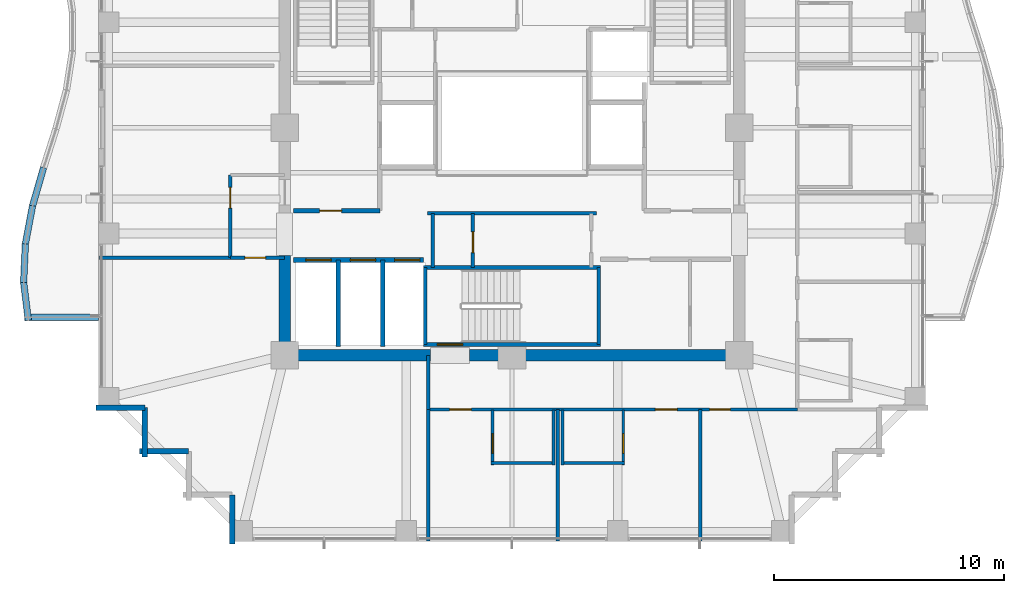
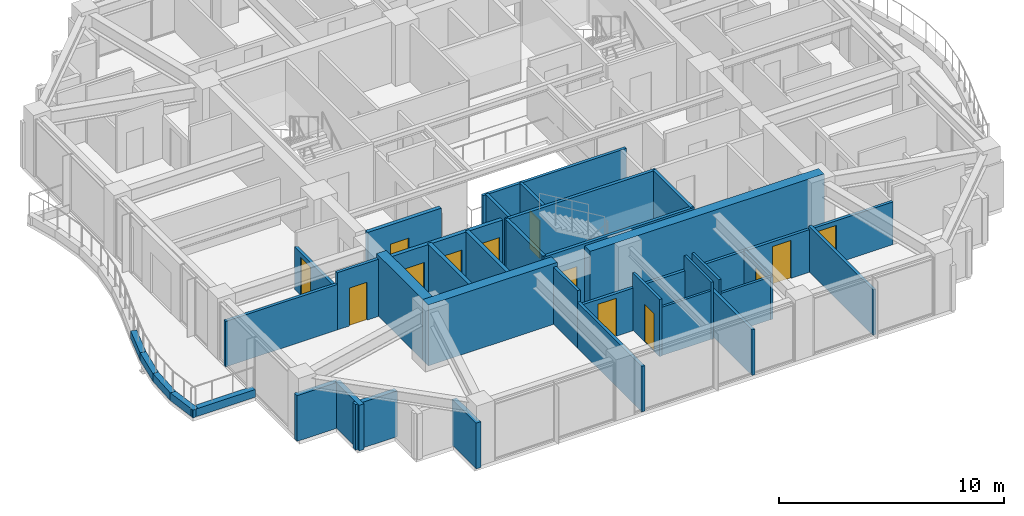
# One storey, part 28 of 33: 37 walls, 13 doors, 13 openings.
"""IFC4 building model written with IfcOpenShell, lengths in metres."""

from ifc_helpers import new_model, si_unit, direction, frame, frame_2d, origin, place, context, subcontext, project, spatial, rectangle, extrude, material, layer, layer_set, type_object, element, fill, save


model = new_model("IFC4")

# Units and contexts
model_context = context("Model", 3, precision=1e-05, world=origin(), true_north=direction((0.0, 1.0)))
body_context = subcontext(model_context, "Body", "Model", "MODEL_VIEW")
ifc_project = project(units=[si_unit("LENGTHUNIT", "METRE"), si_unit("AREAUNIT", "SQUARE_METRE"), si_unit("VOLUMEUNIT", "CUBIC_METRE"), si_unit("PLANEANGLEUNIT", "RADIAN"), si_unit("MASSUNIT", "GRAM", prefix="KILO")], contexts=[model_context])

# Site, building, storey
site_placement = place(None, origin())
site = spatial("IfcSite", under=ifc_project, at=site_placement, CompositionType="ELEMENT")
building_placement = place(site_placement, origin())
building = spatial("IfcBuilding", under=site, at=building_placement, Name="Kolvaren Belvedere", CompositionType="ELEMENT")
storey_placement = place(building_placement, frame((0.0, 0.0, 128.300048828125)))
storey = spatial("IfcBuildingStorey", under=building, at=storey_placement, Name="L37", CompositionType="ELEMENT", Elevation=128.300048828125)

# Walls
ifc_material_1 = material(Name="Concrete C50/60", Category="concrete")
ifc_layer_1 = layer(ifc_material_1, 0.5)
ifc_layer_set_1 = layer_set([ifc_layer_1], Name="Concrete C50/60")
wall_type_1 = type_object("IfcWallType", Name="CW-CORE-500", PredefinedType="SHEAR", material=ifc_layer_set_1)
wall_1_placement = place(storey_placement, frame((10.14990234375, -9.89990234375, 0.0), z_axis=(0.0, 0.0, 1.0), x_axis=(-1.0, 0.0, 0.0)))
element("IfcWall", 1, at=wall_1_placement, inside=storey, type_object=wall_type_1, Name="L37 South Core Shear Wall 1", PredefinedType="SHEAR", context=body_context, shape_type="SweptSolid", body=[
    extrude(rectangle(XDim=12.010009765625, YDim=0.5, at=frame_2d((6.0048828125, 0.0))), origin(), (0.0, 0.0, 1.0), 3.300048828125),
])
wall_2_placement = place(storey_placement, frame((-3.5400390625, -9.89990234375, 0.0), z_axis=(0.0, 0.0, 1.0), x_axis=(-1.0, 0.0, 0.0)))
element("IfcWall", 2, at=wall_2_placement, inside=storey, type_object=wall_type_1, Name="L37 South Core Shear Wall 2", PredefinedType="SHEAR", context=body_context, shape_type="SweptSolid", body=[
    extrude(rectangle(XDim=6.60986328125, YDim=0.5, at=frame_2d((3.304931640625, 0.0))), origin(), (0.0, 0.0, 1.0), 3.300048828125),
])
wall_3_placement = place(storey_placement, frame((-9.89990234375, -9.64990234375, 0.0), z_axis=(0.0, 0.0, 1.0), x_axis=(0.0, 1.0, 0.0)))
element("IfcWall", 3, at=wall_3_placement, inside=storey, type_object=wall_type_1, Name="L37 West Core Shear Wall 1", PredefinedType="SHEAR", context=body_context, shape_type="SweptSolid", body=[
    extrude(rectangle(XDim=4.099853515625, YDim=0.5, at=frame_2d((2.0498046875, 0.0))), origin(), (0.0, 0.0, 1.0), 3.300048828125),
])

# Wall, opening, door
ifc_material_2 = material(Name="Concrete C50/60", Category="concrete")
ifc_layer_2 = layer(ifc_material_2, 0.159912109375)
ifc_layer_set_2 = layer_set([ifc_layer_2], Name="Concrete C50/60")
wall_type_2 = type_object("IfcWallType", Name="CW-STAIR-160", PredefinedType="SHEAR", material=ifc_layer_set_2)
wall_4_placement = place(storey_placement, frame((3.860107421875, -9.429931640625, 0.0), z_axis=(0.0, 0.0, 1.0), x_axis=(-1.0, 0.0, 0.0)))
wall_4 = element("IfcWall", 4, at=wall_4_placement, inside=storey, type_object=wall_type_2, Name="L37 Stair ST-3 South Shear Wall", PredefinedType="SHEAR", context=body_context, shape_type="SweptSolid", body=[
    extrude(rectangle(XDim=7.72021484375, YDim=0.159912109375, at=frame_2d((3.860107421875, 0.0))), origin(), (0.0, 0.0, 1.0), 3.300048828125),
])
opening_1_placement = place(wall_4_placement, frame((6.010009765625, 0.0, 0.0)))
opening_1 = element("IfcOpeningElement", 5, at=opening_1_placement, cuts=wall_4, Name="Opening D-FD90", PredefinedType="OPENING", context=body_context, shape_type="SweptSolid", body=[
    extrude(rectangle(XDim=1.10009765625, YDim=2.199951171875, at=frame_2d((0.550048828125, 1.10009765625))), frame((0.0, 0.08984375, 0.0), z_axis=(0.0, -1.0, 0.0), x_axis=(1.0, 0.0, 0.0)), (0.0, 0.0, 1.0), 0.179931640625),
])
ifc_material_3 = material(Name="Painted hollow stainless steel", Category="steel")
door_type_1 = type_object("IfcDoorType", Name="DR-FD90-1100", OperationType="NOTDEFINED", PredefinedType="DOOR", material=ifc_material_3)
door_1_placement = place(opening_1_placement, origin())
door_1 = element("IfcDoor", 6, at=door_1_placement, inside=storey, type_object=door_type_1, Name="L37 Stair ST-3 Exit Door", OperationType="SINGLE_SWING_RIGHT", OverallHeight=2.199951171875, OverallWidth=1.10009765625, PredefinedType="DOOR", context=body_context, shape_type="SweptSolid", body=[
    extrude(rectangle(XDim=1.10009765625, YDim=2.199951171875, at=frame_2d((0.550048828125, 1.10009765625))), frame((0.0, 0.02490234375, 0.0), z_axis=(0.0, -1.0, 0.0), x_axis=(1.0, 0.0, 0.0)), (0.0, 0.0, 1.0), 0.050048828125),
])
fill(opening_1, door_1)

# Walls
wall_5_placement = place(storey_placement, frame((-3.860107421875, -6.080078125, 0.0), z_axis=(0.0, 0.0, 1.0), x_axis=(1.0, 0.0, 0.0)))
element("IfcWall", 7, at=wall_5_placement, inside=storey, type_object=wall_type_2, Name="L37 Stair ST-3 North Shear Wall", PredefinedType="SHEAR", context=body_context, shape_type="SweptSolid", body=[
    extrude(rectangle(XDim=7.72021484375, YDim=0.159912109375, at=frame_2d((3.860107421875, 0.0))), origin(), (0.0, 0.0, 1.0), 3.300048828125),
])
for number, where, z_axis, x_axis, name in (
    (8, (-3.780029296875, -9.429931640625, 0.0), (0.0, 0.0, 1.0), (0.0, 1.0, 0.0), "L37 Stair ST-3 West Shear Wall"),
    (9, (3.780029296875, -9.429931640625, 0.0), (0.0, 0.0, 1.0), (0.0, 1.0, 0.0), "L37 Stair ST-3 East Shear Wall"),
):
    element("IfcWall", number, at=place(storey_placement, frame(where, z_axis=z_axis, x_axis=x_axis)), inside=storey, type_object=wall_type_2, Name=name, PredefinedType="SHEAR", context=body_context, shape_type="SweptSolid", body=[
        extrude(rectangle(XDim=3.349853515625, YDim=0.159912109375, at=frame_2d((1.6748046875, 0.0))), origin(), (0.0, 0.0, 1.0), 3.300048828125),
    ])

# Wall, openings, doors
ifc_material_4 = material(Name="Gypsum fire-rated partition assembly", Category="gypsum")
ifc_layer_3 = layer(ifc_material_4, 0.14990234375)
ifc_layer_set_3 = layer_set([ifc_layer_3], Name="Gypsum fire-rated partition assembly")
wall_type_3 = type_object("IfcWallType", Name="WL-CORR-150", PredefinedType="PARTITIONING", material=ifc_layer_set_3)
wall_6_placement = place(storey_placement, frame((-3.64990234375, -12.260009765625, 0.0), z_axis=(0.0, 0.0, 1.0), x_axis=(1.0, 0.0, 0.0)))
wall_6 = element("IfcWall", 10, at=wall_6_placement, inside=storey, type_object=wall_type_3, Name="L37 South-East Corridor Wall", PredefinedType="PARTITIONING", context=body_context, shape_type="SweptSolid", body=[
    extrude(rectangle(XDim=16.06982421875, YDim=0.14990234375, at=frame_2d((8.034912109375, 0.0))), origin(), (0.0, 0.0, 1.0), 2.31201171875),
])
opening_2_placement = place(wall_6_placement, frame((0.936279296875, 0.0, 0.0)))
opening_2 = element("IfcOpeningElement", 11, at=opening_2_placement, cuts=wall_6, Name="Opening D-FD60", PredefinedType="OPENING", context=body_context, shape_type="SweptSolid", body=[
    extrude(rectangle(XDim=0.949951171875, YDim=2.06005859375, at=frame_2d((0.47509765625, 1.030029296875))), frame((0.0, 0.0849609375, 0.0), z_axis=(0.0, -1.0, 0.0), x_axis=(1.0, 0.0, 0.0)), (0.0, 0.0, 1.0), 0.169921875),
])
opening_3_placement = place(wall_6_placement, frame((9.892578125, 0.0, 0.0)))
opening_3 = element("IfcOpeningElement", 12, at=opening_3_placement, cuts=wall_6, Name="Opening D-FD60", PredefinedType="OPENING", context=body_context, shape_type="SweptSolid", body=[
    extrude(rectangle(XDim=0.949951171875, YDim=2.06005859375, at=frame_2d((0.47509765625, 1.030029296875))), frame((0.0, 0.0849609375, 0.0), z_axis=(0.0, -1.0, 0.0), x_axis=(1.0, 0.0, 0.0)), (0.0, 0.0, 1.0), 0.169921875),
])
opening_4_placement = place(wall_6_placement, frame((12.252685546875, 0.0, 0.0)))
opening_4 = element("IfcOpeningElement", 13, at=opening_4_placement, cuts=wall_6, Name="Opening D-INT90", PredefinedType="OPENING", context=body_context, shape_type="SweptSolid", body=[
    extrude(rectangle(XDim=0.89990234375, YDim=2.06005859375, at=frame_2d((0.449951171875, 1.030029296875))), frame((0.0, 0.0849609375, 0.0), z_axis=(0.0, -1.0, 0.0), x_axis=(1.0, 0.0, 0.0)), (0.0, 0.0, 1.0), 0.169921875),
])
ifc_material_5 = material(Name="Acoustic white-oak fire door leaf", Category="timber")
door_type_2 = type_object("IfcDoorType", Name="DR-FD60-950", OperationType="NOTDEFINED", PredefinedType="DOOR", material=ifc_material_5)
door_2_placement = place(opening_2_placement, origin())
door_2 = element("IfcDoor", 14, at=door_2_placement, inside=storey, type_object=door_type_2, Name="L37 Botanical Hospitality Suite 3713 Entry Door", OperationType="SINGLE_SWING_LEFT", OverallHeight=2.06005859375, OverallWidth=0.949951171875, PredefinedType="DOOR", context=body_context, shape_type="SweptSolid", body=[
    extrude(rectangle(XDim=0.949951171875, YDim=2.06005859375, at=frame_2d((0.47509765625, 1.030029296875))), frame((0.0, 0.02490234375, 0.0), z_axis=(0.0, -1.0, 0.0), x_axis=(1.0, 0.0, 0.0)), (0.0, 0.0, 1.0), 0.050048828125),
])
fill(opening_2, door_2)
door_3_placement = place(opening_3_placement, origin())
door_3 = element("IfcDoor", 15, at=door_3_placement, inside=storey, type_object=door_type_2, Name="L37 King Guest Room 3714 Entry Door", OperationType="SINGLE_SWING_LEFT", OverallHeight=2.06005859375, OverallWidth=0.949951171875, PredefinedType="DOOR", context=body_context, shape_type="SweptSolid", body=[
    extrude(rectangle(XDim=0.949951171875, YDim=2.06005859375, at=frame_2d((0.47509765625, 1.030029296875))), frame((0.0, 0.02490234375, 0.0), z_axis=(0.0, -1.0, 0.0), x_axis=(1.0, 0.0, 0.0)), (0.0, 0.0, 1.0), 0.050048828125),
])
fill(opening_3, door_3)
ifc_material_6 = material(Name="Stained Pacific white oak", Category="timber")
door_type_3 = type_object("IfcDoorType", Name="DR-INT-900", OperationType="NOTDEFINED", PredefinedType="DOOR", material=ifc_material_6)
door_4_placement = place(opening_4_placement, origin())
door_4 = element("IfcDoor", 16, at=door_4_placement, inside=storey, type_object=door_type_3, Name="L37 Lounge 3715 Door", OperationType="SINGLE_SWING_RIGHT", OverallHeight=2.06005859375, OverallWidth=0.89990234375, PredefinedType="DOOR", context=body_context, shape_type="SweptSolid", body=[
    extrude(rectangle(XDim=0.89990234375, YDim=2.06005859375, at=frame_2d((0.449951171875, 1.030029296875))), frame((0.0, 0.02490234375, 0.0), z_axis=(0.0, -1.0, 0.0), x_axis=(1.0, 0.0, 0.0)), (0.0, 0.0, 1.0), 0.050048828125),
])
fill(opening_4, door_4)

# Wall
wall_7_placement = place(storey_placement, frame((-3.64990234375, -12.260009765625, 0.0), z_axis=(0.0, 0.0, 1.0), x_axis=(0.0, 1.0, 0.0)))
element("IfcWall", 17, at=wall_7_placement, inside=storey, type_object=wall_type_3, Name="L37 South Spur West Closure Wall", PredefinedType="PARTITIONING", context=body_context, shape_type="SweptSolid", body=[
    extrude(rectangle(XDim=2.360107421875, YDim=0.14990234375, at=frame_2d((1.18017578125, 0.0))), origin(), (0.0, 0.0, 1.0), 3.099853515625),
])

# Wall, opening, door
wall_8_placement = place(storey_placement, frame((-12.260009765625, -5.64990234375, 0.0), z_axis=(0.0, 0.0, 1.0), x_axis=(0.0, 1.0, 0.0)))
wall_8 = element("IfcWall", 18, at=wall_8_placement, inside=storey, type_object=wall_type_3, Name="L37 West FSAE Pocket Wall", PredefinedType="PARTITIONING", context=body_context, shape_type="SweptSolid", body=[
    extrude(rectangle(XDim=3.599853515625, YDim=0.14990234375, at=frame_2d((1.7998046875, 0.0))), origin(), (0.0, 0.0, 1.0), 2.31201171875),
])
opening_5_placement = place(wall_8_placement, frame((2.15625, 0.0, 0.0)))
opening_5 = element("IfcOpeningElement", 19, at=opening_5_placement, cuts=wall_8, Name="Opening D-INT90", PredefinedType="OPENING", context=body_context, shape_type="SweptSolid", body=[
    extrude(rectangle(XDim=0.89990234375, YDim=2.06005859375, at=frame_2d((0.449951171875, 1.030029296875))), frame((0.0, 0.0849609375, 0.0), z_axis=(0.0, -1.0, 0.0), x_axis=(1.0, 0.0, 0.0)), (0.0, 0.0, 1.0), 0.169921875),
])
door_5_placement = place(opening_5_placement, origin())
door_5 = element("IfcDoor", 20, at=door_5_placement, inside=storey, type_object=door_type_3, Name="L37 Lounge 3711 Door", OperationType="SINGLE_SWING_RIGHT", OverallHeight=2.06005859375, OverallWidth=0.89990234375, PredefinedType="DOOR", context=body_context, shape_type="SweptSolid", body=[
    extrude(rectangle(XDim=0.89990234375, YDim=2.06005859375, at=frame_2d((0.449951171875, 1.030029296875))), frame((0.0, 0.02490234375, 0.0), z_axis=(0.0, -1.0, 0.0), x_axis=(1.0, 0.0, 0.0)), (0.0, 0.0, 1.0), 0.050048828125),
])
fill(opening_5, door_5)

wall_9_placement = place(storey_placement, frame((-12.260009765625, -5.64990234375, 0.0), z_axis=(0.0, 0.0, 1.0), x_axis=(1.0, 0.0, 0.0)))
wall_9 = element("IfcWall", 21, at=wall_9_placement, inside=storey, type_object=wall_type_3, Name="L37 West Pocket South Closure Wall", PredefinedType="PARTITIONING", context=body_context, shape_type="SweptSolid", body=[
    extrude(rectangle(XDim=2.360107421875, YDim=0.14990234375, at=frame_2d((1.18017578125, 0.0))), origin(), (0.0, 0.0, 1.0), 3.099853515625),
])
opening_6_placement = place(wall_9_placement, frame((0.631591796875, 0.0, 0.0)))
opening_6 = element("IfcOpeningElement", 22, at=opening_6_placement, cuts=wall_9, Name="Opening D-INT90", PredefinedType="OPENING", context=body_context, shape_type="SweptSolid", body=[
    extrude(rectangle(XDim=0.89990234375, YDim=2.06005859375, at=frame_2d((0.449951171875, 1.030029296875))), frame((0.0, 0.0849609375, 0.0), z_axis=(0.0, -1.0, 0.0), x_axis=(1.0, 0.0, 0.0)), (0.0, 0.0, 1.0), 0.169921875),
])
door_6_placement = place(opening_6_placement, origin())
door_6 = element("IfcDoor", 23, at=door_6_placement, inside=storey, type_object=door_type_3, Name="L37 Lounge 3712 Door", OperationType="SINGLE_SWING_LEFT", OverallHeight=2.06005859375, OverallWidth=0.89990234375, PredefinedType="DOOR", context=body_context, shape_type="SweptSolid", body=[
    extrude(rectangle(XDim=0.89990234375, YDim=2.06005859375, at=frame_2d((0.449951171875, 1.030029296875))), frame((0.0, 0.02490234375, 0.0), z_axis=(0.0, -1.0, 0.0), x_axis=(1.0, 0.0, 0.0)), (0.0, 0.0, 1.0), 0.050048828125),
])
fill(opening_6, door_6)

# Walls
ifc_material_7 = material(Name="Insulated pale-metal facade wall assembly", Category="aluminium")
ifc_layer_4 = layer(ifc_material_7, 0.239990234375)
ifc_layer_set_4 = layer_set([ifc_layer_4], Name="Insulated pale-metal facade wall assembly")
wall_type_4 = type_object("IfcWallType", Name="WL-EXT-240", PredefinedType="STANDARD", material=ifc_layer_set_4)
for number, where, z_axis, x_axis, name in (
    (24, (-15.97998046875, -12.179931640625, 0.0), (0.0, 0.0, 1.0), (-1.0, 0.0, 0.0), "L37 Serrated Corner Facade Wall 23"),
    (25, (-15.97998046875, -14.320068359375, 0.0), (0.0, 0.0, 1.0), (0.0, 1.0, 0.0), "L37 Serrated Corner Facade Wall 24"),
):
    element("IfcWall", number, at=place(storey_placement, frame(where, z_axis=z_axis, x_axis=x_axis)), inside=storey, type_object=wall_type_4, Name=name, PredefinedType="STANDARD", context=body_context, shape_type="SweptSolid", body=[
        extrude(rectangle(XDim=2.14013671875, YDim=0.239990234375, at=frame_2d((1.070068359375, 0.0))), origin(), (0.0, 0.0, 1.0), 2.47900390625),
    ])
wall_10_placement = place(storey_placement, frame((-14.080078125, -14.080078125, 0.0), z_axis=(0.0, 0.0, 1.0), x_axis=(-1.0, 0.0, 0.0)))
element("IfcWall", 26, at=wall_10_placement, inside=storey, type_object=wall_type_4, Name="L37 Serrated Corner Facade Wall 25", PredefinedType="STANDARD", context=body_context, shape_type="SweptSolid", body=[
    extrude(rectangle(XDim=2.139892578125, YDim=0.239990234375, at=frame_2d((1.06982421875, 0.0))), origin(), (0.0, 0.0, 1.0), 2.47900390625),
])
wall_11_placement = place(storey_placement, frame((-12.179931640625, -18.1201171875, 0.0), z_axis=(0.0, 0.0, 1.0), x_axis=(0.0, 1.0, 0.0)))
element("IfcWall", 27, at=wall_11_placement, inside=storey, type_object=wall_type_4, Name="L37 Serrated Corner Facade Wall 28", PredefinedType="STANDARD", context=body_context, shape_type="SweptSolid", body=[
    extrude(rectangle(XDim=2.14013671875, YDim=0.239990234375, at=frame_2d((1.070068359375, 0.0))), origin(), (0.0, 0.0, 1.0), 2.47900390625),
])
ifc_material_8 = material(Name="Gypsum acoustic partition assembly", Category="gypsum")
ifc_layer_5 = layer(ifc_material_8, 0.14990234375)
ifc_layer_set_5 = layer_set([ifc_layer_5], Name="Gypsum acoustic partition assembly")
wall_type_5 = type_object("IfcWallType", Name="WL-PART-150", PredefinedType="PARTITIONING", material=ifc_layer_set_5)
wall_12_placement = place(storey_placement, frame((-3.679931640625, -3.719970703125, 0.0), z_axis=(0.0, 0.0, 1.0), x_axis=(1.0, 0.0, 0.0)))
element("IfcWall", 28, at=wall_12_placement, inside=storey, type_object=wall_type_5, Name="L37 South Core Service North Wall", PredefinedType="PARTITIONING", context=body_context, shape_type="SweptSolid", body=[
    extrude(rectangle(XDim=7.35986328125, YDim=0.14990234375, at=frame_2d((3.679931640625, 0.0))), origin(), (0.0, 0.0, 1.0), 3.099853515625),
])
wall_13_placement = place(storey_placement, frame((-3.449951171875, -6.080078125, 0.0), z_axis=(0.0, 0.0, 1.0), x_axis=(0.0, 1.0, 0.0)))
element("IfcWall", 29, at=wall_13_placement, inside=storey, type_object=wall_type_5, Name="L37 South Core Service West Wall", PredefinedType="PARTITIONING", context=body_context, shape_type="SweptSolid", body=[
    extrude(rectangle(XDim=2.360107421875, YDim=0.14990234375, at=frame_2d((1.18017578125, 0.0))), origin(), (0.0, 0.0, 1.0), 3.099853515625),
])

# Wall, opening, door
wall_14_placement = place(storey_placement, frame((-1.699951171875, -6.080078125, 0.0), z_axis=(0.0, 0.0, 1.0), x_axis=(0.0, 1.0, 0.0)))
wall_14 = element("IfcWall", 30, at=wall_14_placement, inside=storey, type_object=wall_type_5, Name="L37 Core Service Divider", PredefinedType="PARTITIONING", context=body_context, shape_type="SweptSolid", body=[
    extrude(rectangle(XDim=2.360107421875, YDim=0.14990234375, at=frame_2d((1.18017578125, 0.0))), origin(), (0.0, 0.0, 1.0), 3.099853515625),
])
opening_7_placement = place(wall_14_placement, frame((0.64990234375, 0.0, 0.0)))
opening_7 = element("IfcOpeningElement", 31, at=opening_7_placement, cuts=wall_14, Name="Opening D-INT90", PredefinedType="OPENING", context=body_context, shape_type="SweptSolid", body=[
    extrude(rectangle(XDim=0.89990234375, YDim=2.06005859375, at=frame_2d((0.449951171875, 1.030029296875))), frame((0.0, 0.0849609375, 0.0), z_axis=(0.0, -1.0, 0.0), x_axis=(1.0, 0.0, 0.0)), (0.0, 0.0, 1.0), 0.169921875),
])
door_7_placement = place(opening_7_placement, origin())
door_7 = element("IfcDoor", 32, at=door_7_placement, inside=storey, type_object=door_type_3, Name="L37 Telecom Inner Door", OperationType="SINGLE_SWING_RIGHT", OverallHeight=2.06005859375, OverallWidth=0.89990234375, PredefinedType="DOOR", context=body_context, shape_type="SweptSolid", body=[
    extrude(rectangle(XDim=0.89990234375, YDim=2.06005859375, at=frame_2d((0.449951171875, 1.030029296875))), frame((0.0, 0.02490234375, 0.0), z_axis=(0.0, -1.0, 0.0), x_axis=(1.0, 0.0, 0.0)), (0.0, 0.0, 1.0), 0.050048828125),
])
fill(opening_7, door_7)

# Walls
for number, where, z_axis, x_axis, name in (
    (33, (-17.97998046875, -5.64990234375, 0.0), (0.0, 0.0, 1.0), (1.0, 0.0, 0.0), "L37 West Mid Suite South Wall"),
    (34, (-3.64990234375, -17.97998046875, 0.0), (0.0, 0.0, 1.0), (0.0, 1.0, 0.0), "L37 South Mid-West Wall"),
    (35, (2.0, -17.97998046875, 0.0), (0.0, 0.0, 1.0), (0.0, 1.0, 0.0), "L37 South-East Suite Divider 1"),
    (36, (8.199951171875, -17.97998046875, 0.0), (0.0, 0.0, 1.0), (0.0, 1.0, 0.0), "L37 South-East Suite Divider 2"),
):
    element("IfcWall", number, at=place(storey_placement, frame(where, z_axis=z_axis, x_axis=x_axis)), inside=storey, type_object=wall_type_5, Name=name, PredefinedType="PARTITIONING", context=body_context, shape_type="SweptSolid", body=[
        extrude(rectangle(XDim=5.719970703125, YDim=0.14990234375, at=frame_2d((2.85986328125, 0.0))), origin(), (0.0, 0.0, 1.0), 2.468994140625),
    ])
ifc_material_9 = material(Name="Precast concrete C40/50", Category="concrete")
ifc_layer_6 = layer(ifc_material_9, 0.300048828125)
ifc_layer_set_6 = layer_set([ifc_layer_6], Name="Precast concrete C40/50")
wall_type_6 = type_object("IfcWallType", Name="WL-PLANTER-300", PredefinedType="PARAPET", material=ifc_layer_set_6)
wall_15_placement = place(storey_placement, frame((-20.388671875, -1.724609375, -0.02001953125), z_axis=(0.0, 0.0, 1.0), x_axis=(-0.277946215201, -0.96059663827, 0.0)))
element("IfcWall", 37, at=wall_15_placement, inside=storey, type_object=wall_type_6, Name="L37 Precast Structural Planter Wall BAL-W-7", PredefinedType="PARAPET", context=body_context, shape_type="SweptSolid", body=[
    extrude(rectangle(XDim=1.748779296875, YDim=0.280029296875, at=frame_2d((0.87451171875, 0.0))), origin(), (0.0, 0.0, 1.0), 0.419921875),
])
wall_16_placement = place(storey_placement, frame((-20.87109375, -3.3896484375, -0.02001953125), z_axis=(0.0, 0.0, 1.0), x_axis=(-0.184814532932, -0.982773416621, 0.0)))
element("IfcWall", 38, at=wall_16_placement, inside=storey, type_object=wall_type_6, Name="L37 Precast Structural Planter Wall BAL-W-8", PredefinedType="PARAPET", context=body_context, shape_type="SweptSolid", body=[
    extrude(rectangle(XDim=1.70947265625, YDim=0.280029296875, at=frame_2d((0.854736328125, 0.0))), origin(), (0.0, 0.0, 1.0), 0.419921875),
])
wall_17_placement = place(storey_placement, frame((-21.184326171875, -5.047119140625, -0.02001953125), z_axis=(0.0, 0.0, 1.0), x_axis=(-0.045144279054, -0.998980477321, 0.0)))
element("IfcWall", 39, at=wall_17_placement, inside=storey, type_object=wall_type_6, Name="L37 Precast Structural Planter Wall BAL-W-9", PredefinedType="PARAPET", context=body_context, shape_type="SweptSolid", body=[
    extrude(rectangle(XDim=1.681884765625, YDim=0.280029296875, at=frame_2d((0.8408203125, 0.0))), origin(), (0.0, 0.0, 1.0), 0.419921875),
])
wall_18_placement = place(storey_placement, frame((-21.26123046875, -6.700439453125, -0.02001953125), z_axis=(0.0, 0.0, 1.0), x_axis=(0.121868867697, -0.992546210051, 0.0)))
element("IfcWall", 40, at=wall_18_placement, inside=storey, type_object=wall_type_6, Name="L37 Precast Structural Planter Wall BAL-W-10", PredefinedType="PARAPET", context=body_context, shape_type="SweptSolid", body=[
    extrude(rectangle(XDim=1.69287109375, YDim=0.280029296875, at=frame_2d((0.846435546875, 0.0))), origin(), (0.0, 0.0, 1.0), 0.419921875),
])
wall_19_placement = place(storey_placement, frame((-21.213623046875, -8.239990234375, -0.02001953125), z_axis=(0.0, 0.0, 1.0), x_axis=(1.0, 0.0, 0.0)))
element("IfcWall", 41, at=wall_19_placement, inside=storey, type_object=wall_type_6, Name="L37 Precast Structural Planter Wall BAL-W-11", PredefinedType="PARAPET", context=body_context, shape_type="SweptSolid", body=[
    extrude(rectangle(XDim=3.213623046875, YDim=0.280029296875, at=frame_2d((1.60693359375, 0.0))), origin(), (0.0, 0.0, 1.0), 0.419921875),
])

# Wall, opening, door
ifc_material_10 = material(Name="Concrete C50/60", Category="concrete")
ifc_layer_7 = layer(ifc_material_10, 0.199951171875)
ifc_layer_set_7 = layer_set([ifc_layer_7], Name="Concrete C50/60")
wall_type_7 = type_object("IfcWallType", Name="WL-SHAFT-200", PredefinedType="SOLIDWALL", material=ifc_layer_set_7)
wall_20_placement = place(storey_placement, frame((-9.52001953125, -3.60009765625, 0.0), z_axis=(0.0, 0.0, 1.0), x_axis=(1.0, 0.0, 0.0)))
wall_20 = element("IfcWall", 42, at=wall_20_placement, inside=storey, type_object=wall_type_7, Name="L37 West FSAE Lobby South Wall", PredefinedType="SOLIDWALL", context=body_context, shape_type="SweptSolid", body=[
    extrude(rectangle(XDim=3.77001953125, YDim=0.199951171875, at=frame_2d((1.885009765625, 0.0))), origin(), (0.0, 0.0, 1.0), 3.099853515625),
])
opening_8_placement = place(wall_20_placement, frame((1.14990234375, 0.0, 0.0)))
opening_8 = element("IfcOpeningElement", 43, at=opening_8_placement, cuts=wall_20, Name="Opening D-FD60", PredefinedType="OPENING", context=body_context, shape_type="SweptSolid", body=[
    extrude(rectangle(XDim=0.949951171875, YDim=2.06005859375, at=frame_2d((0.47509765625, 1.030029296875))), frame((0.0, 0.10986328125, 0.0), z_axis=(0.0, -1.0, 0.0), x_axis=(1.0, 0.0, 0.0)), (0.0, 0.0, 1.0), 0.219970703125),
])
door_8_placement = place(opening_8_placement, origin())
door_8 = element("IfcDoor", 44, at=door_8_placement, inside=storey, type_object=door_type_2, Name="L37 Mid-Rise Lift Lobby Fire Door", OperationType="SINGLE_SWING_LEFT", OverallHeight=2.06005859375, OverallWidth=0.949951171875, PredefinedType="DOOR", context=body_context, shape_type="SweptSolid", body=[
    extrude(rectangle(XDim=0.949951171875, YDim=2.06005859375, at=frame_2d((0.47509765625, 1.030029296875))), frame((0.0, 0.02490234375, 0.0), z_axis=(0.0, -1.0, 0.0), x_axis=(1.0, 0.0, 0.0)), (0.0, 0.0, 1.0), 0.050048828125),
])
fill(opening_8, door_8)

# Wall, openings, doors
wall_21_placement = place(storey_placement, frame((-9.52001953125, -5.75, 0.0), z_axis=(0.0, 0.0, 1.0), x_axis=(1.0, 0.0, 0.0)))
wall_21 = element("IfcWall", 45, at=wall_21_placement, inside=storey, type_object=wall_type_7, Name="L37 Mid-Rise Lift Bank Front Wall", PredefinedType="SOLIDWALL", context=body_context, shape_type="SweptSolid", body=[
    extrude(rectangle(XDim=5.659912109375, YDim=0.199951171875, at=frame_2d((2.830078125, 0.0))), origin(), (0.0, 0.0, 1.0), 3.099853515625),
])
opening_9_placement = place(wall_21_placement, frame((0.550048828125, 0.0, 0.0)))
opening_9 = element("IfcOpeningElement", 46, at=opening_9_placement, cuts=wall_21, Name="Opening LD-11", PredefinedType="OPENING", context=body_context, shape_type="SweptSolid", body=[
    extrude(rectangle(XDim=1.10009765625, YDim=2.199951171875, at=frame_2d((0.550048828125, 1.10009765625))), frame((0.0, 0.10986328125, 0.0), z_axis=(0.0, -1.0, 0.0), x_axis=(1.0, 0.0, 0.0)), (0.0, 0.0, 1.0), 0.219970703125),
])
opening_10_placement = place(wall_21_placement, frame((2.47998046875, 0.0, 0.0)))
opening_10 = element("IfcOpeningElement", 47, at=opening_10_placement, cuts=wall_21, Name="Opening LD-11", PredefinedType="OPENING", context=body_context, shape_type="SweptSolid", body=[
    extrude(rectangle(XDim=1.10009765625, YDim=2.199951171875, at=frame_2d((0.550048828125, 1.10009765625))), frame((0.0, 0.10986328125, 0.0), z_axis=(0.0, -1.0, 0.0), x_axis=(1.0, 0.0, 0.0)), (0.0, 0.0, 1.0), 0.219970703125),
])
opening_11_placement = place(wall_21_placement, frame((4.409912109375, 0.0, 0.0)))
opening_11 = element("IfcOpeningElement", 48, at=opening_11_placement, cuts=wall_21, Name="Opening LD-11", PredefinedType="OPENING", context=body_context, shape_type="SweptSolid", body=[
    extrude(rectangle(XDim=1.10009765625, YDim=2.199951171875, at=frame_2d((0.550048828125, 1.10009765625))), frame((0.0, 0.10986328125, 0.0), z_axis=(0.0, -1.0, 0.0), x_axis=(1.0, 0.0, 0.0)), (0.0, 0.0, 1.0), 0.219970703125),
])
ifc_material_11 = material(Name="Brushed stainless steel", Category="steel")
door_type_4 = type_object("IfcDoorType", Name="DR-LIFT-1100", OperationType="DOUBLE_DOOR_SLIDING", PredefinedType="DOOR", material=ifc_material_11)
door_9_placement = place(opening_9_placement, origin())
door_9 = element("IfcDoor", 49, at=door_9_placement, inside=storey, type_object=door_type_4, Name="L37 Passenger Lift P4 Landing Door", OperationType="DOUBLE_DOOR_SLIDING", OverallHeight=2.199951171875, OverallWidth=1.10009765625, PredefinedType="DOOR", context=body_context, shape_type="SweptSolid", body=[
    extrude(rectangle(XDim=1.10009765625, YDim=2.199951171875, at=frame_2d((0.550048828125, 1.10009765625))), frame((0.0, 0.02490234375, 0.0), z_axis=(0.0, -1.0, 0.0), x_axis=(1.0, 0.0, 0.0)), (0.0, 0.0, 1.0), 0.050048828125),
])
fill(opening_9, door_9)
door_10_placement = place(opening_10_placement, origin())
door_10 = element("IfcDoor", 50, at=door_10_placement, inside=storey, type_object=door_type_4, Name="L37 Passenger Lift P5 Landing Door", OperationType="DOUBLE_DOOR_SLIDING", OverallHeight=2.199951171875, OverallWidth=1.10009765625, PredefinedType="DOOR", context=body_context, shape_type="SweptSolid", body=[
    extrude(rectangle(XDim=1.10009765625, YDim=2.199951171875, at=frame_2d((0.550048828125, 1.10009765625))), frame((0.0, 0.02490234375, 0.0), z_axis=(0.0, -1.0, 0.0), x_axis=(1.0, 0.0, 0.0)), (0.0, 0.0, 1.0), 0.050048828125),
])
fill(opening_10, door_10)
door_11_placement = place(opening_11_placement, origin())
door_11 = element("IfcDoor", 51, at=door_11_placement, inside=storey, type_object=door_type_4, Name="L37 Passenger Lift P6 Landing Door", OperationType="DOUBLE_DOOR_SLIDING", OverallHeight=2.199951171875, OverallWidth=1.10009765625, PredefinedType="DOOR", context=body_context, shape_type="SweptSolid", body=[
    extrude(rectangle(XDim=1.10009765625, YDim=2.199951171875, at=frame_2d((0.550048828125, 1.10009765625))), frame((0.0, 0.02490234375, 0.0), z_axis=(0.0, -1.0, 0.0), x_axis=(1.0, 0.0, 0.0)), (0.0, 0.0, 1.0), 0.050048828125),
])
fill(opening_11, door_11)

# Walls
for number, where, z_axis, x_axis, name in (
    (52, (-7.56005859375, -9.52001953125, 0.0), (0.0, 0.0, 1.0), (0.0, 1.0, 0.0), "L37 Mid-Rise Hoistway Divider 1"),
    (53, (-5.6298828125, -9.52001953125, 0.0), (0.0, 0.0, 1.0), (0.0, 1.0, 0.0), "L37 Mid-Rise Hoistway Divider 2"),
):
    element("IfcWall", number, at=place(storey_placement, frame(where, z_axis=z_axis, x_axis=x_axis)), inside=storey, type_object=wall_type_7, Name=name, PredefinedType="SOLIDWALL", context=body_context, shape_type="SweptSolid", body=[
        extrude(rectangle(XDim=3.77001953125, YDim=0.199951171875, at=frame_2d((1.885009765625, 0.0))), origin(), (0.0, 0.0, 1.0), 3.099853515625),
    ])

# Wall, opening, door
ifc_material_12 = material(Name="Moisture-resistant gypsum partition", Category="gypsum")
ifc_layer_8 = layer(ifc_material_12, 0.125)
ifc_layer_set_8 = layer_set([ifc_layer_8], Name="Moisture-resistant gypsum partition")
wall_type_8 = type_object("IfcWallType", Name="WL-WET-125", PredefinedType="PARTITIONING", material=ifc_layer_set_8)
wall_22_placement = place(storey_placement, frame((-0.844970703125, -14.6650390625, 0.0), z_axis=(0.0, 0.0, 1.0), x_axis=(0.0, 1.0, 0.0)))
wall_22 = element("IfcWall", 54, at=wall_22_placement, inside=storey, type_object=wall_type_8, Name="L37 Bathroom Partition PW-L37-BTH-13-E", PredefinedType="PARTITIONING", context=body_context, shape_type="SweptSolid", body=[
    extrude(rectangle(XDim=2.39013671875, YDim=0.125, at=frame_2d((1.195068359375, 0.0))), origin(), (0.0, 0.0, 1.0), 3.099853515625),
])
opening_12_placement = place(wall_22_placement, frame((0.5, 0.0, 0.0)))
opening_12 = element("IfcOpeningElement", 55, at=opening_12_placement, cuts=wall_22, Name="Opening D-BTH85", PredefinedType="OPENING", context=body_context, shape_type="SweptSolid", body=[
    extrude(rectangle(XDim=0.85009765625, YDim=2.030029296875, at=frame_2d((0.425048828125, 1.01513671875))), frame((0.0, 0.072509765625, 0.0), z_axis=(0.0, -1.0, 0.0), x_axis=(1.0, 0.0, 0.0)), (0.0, 0.0, 1.0), 0.14501953125),
])
ifc_material_13 = material(Name="Moisture-sealed Pacific white oak", Category="timber")
door_type_5 = type_object("IfcDoorType", Name="DR-BATH-850", OperationType="NOTDEFINED", PredefinedType="DOOR", material=ifc_material_13)
door_12_placement = place(opening_12_placement, origin())
door_12 = element("IfcDoor", 56, at=door_12_placement, inside=storey, type_object=door_type_5, Name="L37 En-Suite Bathroom 3713 Door", OperationType="SINGLE_SWING_RIGHT", OverallHeight=2.030029296875, OverallWidth=0.85009765625, PredefinedType="DOOR", context=body_context, shape_type="SweptSolid", body=[
    extrude(rectangle(XDim=0.85009765625, YDim=2.030029296875, at=frame_2d((0.425048828125, 1.01513671875))), frame((0.0, 0.02490234375, 0.0), z_axis=(0.0, -1.0, 0.0), x_axis=(1.0, 0.0, 0.0)), (0.0, 0.0, 1.0), 0.050048828125),
])
fill(opening_12, door_12)

# Walls
wall_23_placement = place(storey_placement, frame((-0.905029296875, -14.5849609375, 0.0), z_axis=(0.0, 0.0, 1.0), x_axis=(1.0, 0.0, 0.0)))
element("IfcWall", 57, at=wall_23_placement, inside=storey, type_object=wall_type_8, Name="L37 Bathroom Partition PW-L37-BTH-13-H", PredefinedType="PARTITIONING", context=body_context, shape_type="SweptSolid", body=[
    extrude(rectangle(XDim=2.77001953125, YDim=0.125, at=frame_2d((1.385009765625, 0.0))), origin(), (0.0, 0.0, 1.0), 2.625),
])
wall_24_placement = place(storey_placement, frame((1.804931640625, -14.6650390625, 0.0), z_axis=(0.0, 0.0, 1.0), x_axis=(0.0, 1.0, 0.0)))
element("IfcWall", 58, at=wall_24_placement, inside=storey, type_object=wall_type_8, Name="L37 Bathroom Partition PW-L37-BTH-13-W", PredefinedType="PARTITIONING", context=body_context, shape_type="SweptSolid", body=[
    extrude(rectangle(XDim=2.39013671875, YDim=0.125, at=frame_2d((1.195068359375, 0.0))), origin(), (0.0, 0.0, 1.0), 3.099853515625),
])

# Wall, opening, door
wall_25_placement = place(storey_placement, frame((4.844970703125, -14.6650390625, 0.0), z_axis=(0.0, 0.0, 1.0), x_axis=(0.0, 1.0, 0.0)))
wall_25 = element("IfcWall", 59, at=wall_25_placement, inside=storey, type_object=wall_type_8, Name="L37 Bathroom Partition PW-L37-BTH-14-E", PredefinedType="PARTITIONING", context=body_context, shape_type="SweptSolid", body=[
    extrude(rectangle(XDim=2.39013671875, YDim=0.125, at=frame_2d((1.195068359375, 0.0))), origin(), (0.0, 0.0, 1.0), 2.31201171875),
])
opening_13_placement = place(wall_25_placement, frame((0.5, 0.0, 0.0)))
opening_13 = element("IfcOpeningElement", 60, at=opening_13_placement, cuts=wall_25, Name="Opening D-BTH85", PredefinedType="OPENING", context=body_context, shape_type="SweptSolid", body=[
    extrude(rectangle(XDim=0.85009765625, YDim=2.030029296875, at=frame_2d((0.425048828125, 1.01513671875))), frame((0.0, 0.072509765625, 0.0), z_axis=(0.0, -1.0, 0.0), x_axis=(1.0, 0.0, 0.0)), (0.0, 0.0, 1.0), 0.14501953125),
])
door_13_placement = place(opening_13_placement, origin())
door_13 = element("IfcDoor", 61, at=door_13_placement, inside=storey, type_object=door_type_5, Name="L37 En-Suite Bathroom 3714 Door", OperationType="SINGLE_SWING_RIGHT", OverallHeight=2.030029296875, OverallWidth=0.85009765625, PredefinedType="DOOR", context=body_context, shape_type="SweptSolid", body=[
    extrude(rectangle(XDim=0.85009765625, YDim=2.030029296875, at=frame_2d((0.425048828125, 1.01513671875))), frame((0.0, 0.02490234375, 0.0), z_axis=(0.0, -1.0, 0.0), x_axis=(1.0, 0.0, 0.0)), (0.0, 0.0, 1.0), 0.050048828125),
])
fill(opening_13, door_13)

# Walls
wall_26_placement = place(storey_placement, frame((2.135009765625, -14.5849609375, 0.0), z_axis=(0.0, 0.0, 1.0), x_axis=(1.0, 0.0, 0.0)))
element("IfcWall", 62, at=wall_26_placement, inside=storey, type_object=wall_type_8, Name="L37 Bathroom Partition PW-L37-BTH-14-H", PredefinedType="PARTITIONING", context=body_context, shape_type="SweptSolid", body=[
    extrude(rectangle(XDim=2.77001953125, YDim=0.125, at=frame_2d((1.385009765625, 0.0))), origin(), (0.0, 0.0, 1.0), 2.31201171875),
])
wall_27_placement = place(storey_placement, frame((2.195068359375, -14.6650390625, 0.0), z_axis=(0.0, 0.0, 1.0), x_axis=(0.0, 1.0, 0.0)))
element("IfcWall", 63, at=wall_27_placement, inside=storey, type_object=wall_type_8, Name="L37 Bathroom Partition PW-L37-BTH-14-W", PredefinedType="PARTITIONING", context=body_context, shape_type="SweptSolid", body=[
    extrude(rectangle(XDim=2.39013671875, YDim=0.125, at=frame_2d((1.195068359375, 0.0))), origin(), (0.0, 0.0, 1.0), 3.099853515625),
])

save(model, "model.ifc")
